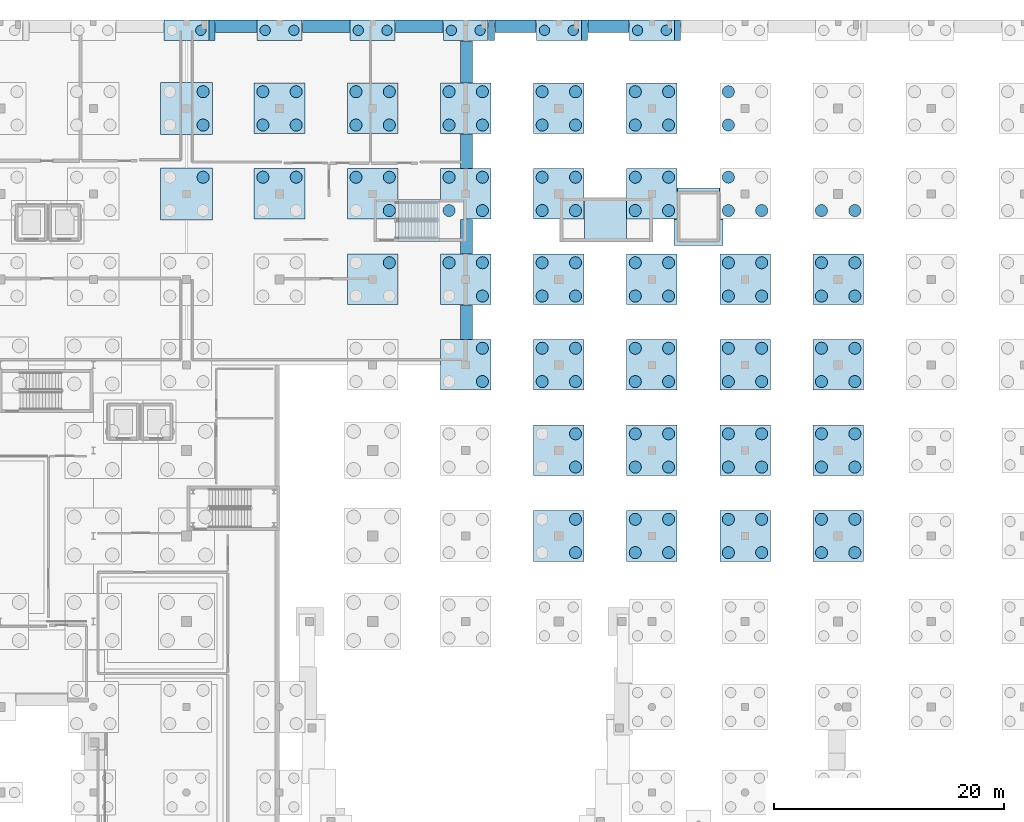
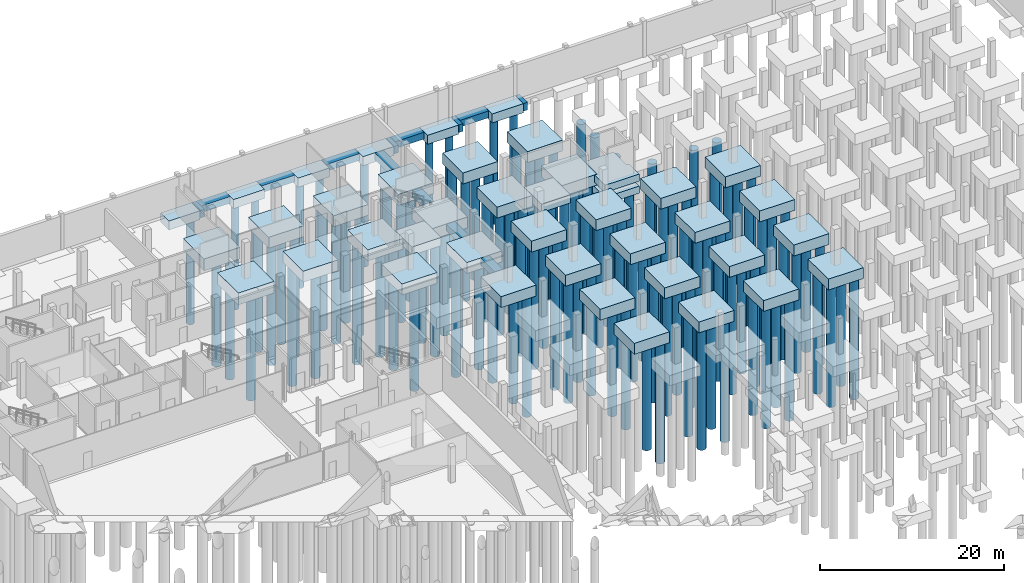
# One storey, part 7 of 37: 124 piles, 54 footings.
"""IFC4 building model written with IfcOpenShell, lengths in metres."""

from ifc_helpers import new_model, si_unit, direction, frame, origin, origin_2d, place, context, subcontext, project, spatial, polyline, rectangle, circle, outline, extrude, material, material_profile, profile_set, type_object, element, save


model = new_model("IFC4")

# Units and contexts
model_context = context("Model", 3, precision=1e-05, world=origin(), true_north=direction((0.0, 1.0)))
body_context = subcontext(model_context, "Body", "Model", "MODEL_VIEW")
ifc_project = project(units=[si_unit("LENGTHUNIT", "METRE"), si_unit("AREAUNIT", "SQUARE_METRE"), si_unit("VOLUMEUNIT", "CUBIC_METRE"), si_unit("PLANEANGLEUNIT", "RADIAN"), si_unit("MASSUNIT", "GRAM", prefix="KILO")], contexts=[model_context])

# Site, building, storey
site_placement = place(None, origin())
site = spatial("IfcSite", under=ifc_project, at=site_placement, CompositionType="ELEMENT")
building_placement = place(site_placement, origin())
building = spatial("IfcBuilding", under=site, at=building_placement, Name="Kaelora Sail Theatre", CompositionType="ELEMENT")
storey_placement = place(building_placement, frame((0.0, 0.0, -4.800048828125)))
storey = spatial("IfcBuildingStorey", under=building, at=storey_placement, Name="B1", CompositionType="ELEMENT", Elevation=-4.800048828125)

# Footings
ifc_material_1 = material(Name="Concrete C40/50", Category="concrete")
footing_type_1 = type_object("IfcFootingType", Name="STR-FTG-PC-2P", PredefinedType="PILE_CAP", material=ifc_material_1)
for number, where, z_axis, x_axis, name in (
    (1, (66.300048828125, 112.449951171875, -1.19970703125), (0.0, 0.0, 1.0), (1.0, 0.0, 0.0), "Foundation 9/P"),
    (2, (74.39990234375, 112.449951171875, -1.19970703125), (0.0, 0.0, 1.0), (1.0, 0.0, 0.0), "Foundation 10/P"),
    (3, (82.5, 112.449951171875, -1.19970703125), (0.0, 0.0, 1.0), (1.0, 0.0, 0.0), "Foundation 11/P"),
    (4, (90.60009765625, 112.449951171875, -1.19970703125), (0.0, 0.0, 1.0), (1.0, 0.0, 0.0), "Foundation 12/P"),
    (5, (98.699951171875, 112.449951171875, -1.19970703125), (0.0, 0.0, 1.0), (1.0, 0.0, 0.0), "Foundation 13/P"),
    (6, (106.800048828125, 112.449951171875, -1.19970703125), (0.0, 0.0, 1.0), (1.0, 0.0, 0.0), "Foundation 14/P"),
):
    element("IfcFooting", number, at=place(storey_placement, frame(where, z_axis=z_axis, x_axis=x_axis)), inside=storey, type_object=footing_type_1, Name=name, PredefinedType="PILE_CAP", context=body_context, shape_type="SweptSolid", body=[
        extrude(rectangle(XDim=3.89990234375, YDim=1.800048828125, at=origin_2d()), origin(), (0.0, 0.0, 1.0), 1.199951171875),
    ])
ifc_material_2 = material(Name="Concrete C40/50", Category="concrete")
footing_type_2 = type_object("IfcFootingType", Name="STR-FTG-PC-4B", PredefinedType="PILE_CAP", material=ifc_material_2)
for number, where, z_axis, x_axis, name in (
    (7, (74.39990234375, 98.219970703125, -1.44970703125), (0.0, 0.0, 1.0), (1.0, 0.0, 0.0), "Foundation 10/N"),
    (8, (74.39990234375, 105.659912109375, -1.44970703125), (0.0, 0.0, 1.0), (1.0, 0.0, 0.0), "Foundation 10/O"),
    (9, (82.5, 90.780029296875, -1.44970703125), (0.0, 0.0, 1.0), (1.0, 0.0, 0.0), "Foundation 11/M"),
    (10, (82.5, 98.219970703125, -1.44970703125), (0.0, 0.0, 1.0), (1.0, 0.0, 0.0), "Foundation 11/N"),
    (11, (82.5, 105.659912109375, -1.44970703125), (0.0, 0.0, 1.0), (1.0, 0.0, 0.0), "Foundation 11/O"),
    (12, (90.60009765625, 83.340087890625, -1.44970703125), (0.0, 0.0, 1.0), (1.0, 0.0, 0.0), "Foundation 12/L"),
    (13, (90.60009765625, 90.780029296875, -1.44970703125), (0.0, 0.0, 1.0), (1.0, 0.0, 0.0), "Foundation 12/M"),
    (14, (90.60009765625, 98.219970703125, -1.44970703125), (0.0, 0.0, 1.0), (1.0, 0.0, 0.0), "Foundation 12/N"),
    (15, (90.60009765625, 105.659912109375, -1.44970703125), (0.0, 0.0, 1.0), (1.0, 0.0, 0.0), "Foundation 12/O"),
    (16, (98.699951171875, 68.4599609375, -1.44970703125), (0.0, 0.0, 1.0), (1.0, 0.0, 0.0), "Foundation 13/J"),
    (17, (98.699951171875, 75.89990234375, -1.44970703125), (0.0, 0.0, 1.0), (1.0, 0.0, 0.0), "Foundation 13/K"),
    (18, (98.699951171875, 83.340087890625, -1.44970703125), (0.0, 0.0, 1.0), (1.0, 0.0, 0.0), "Foundation 13/L"),
    (19, (98.699951171875, 90.780029296875, -1.44970703125), (0.0, 0.0, 1.0), (1.0, 0.0, 0.0), "Foundation 13/M"),
    (20, (98.699951171875, 98.219970703125, -1.44970703125), (0.0, 0.0, 1.0), (1.0, 0.0, 0.0), "Foundation 13/N"),
    (21, (98.699951171875, 105.659912109375, -1.44970703125), (0.0, 0.0, 1.0), (1.0, 0.0, 0.0), "Foundation 13/O"),
    (22, (106.800048828125, 68.4599609375, -1.44970703125), (0.0, 0.0, 1.0), (1.0, 0.0, 0.0), "Foundation 14/J"),
    (23, (106.800048828125, 75.89990234375, -1.44970703125), (0.0, 0.0, 1.0), (1.0, 0.0, 0.0), "Foundation 14/K"),
    (24, (106.800048828125, 83.340087890625, -1.44970703125), (0.0, 0.0, 1.0), (1.0, 0.0, 0.0), "Foundation 14/L"),
    (25, (106.800048828125, 90.780029296875, -1.44970703125), (0.0, 0.0, 1.0), (1.0, 0.0, 0.0), "Foundation 14/M"),
    (26, (106.800048828125, 98.219970703125, -1.44970703125), (0.0, 0.0, 1.0), (1.0, 0.0, 0.0), "Foundation 14/N"),
    (27, (106.800048828125, 105.659912109375, -1.44970703125), (0.0, 0.0, 1.0), (1.0, 0.0, 0.0), "Foundation 14/O"),
    (28, (114.89990234375, 68.4599609375, -1.44970703125), (0.0, 0.0, 1.0), (1.0, 0.0, 0.0), "Foundation 15/J"),
    (29, (114.89990234375, 75.89990234375, -1.44970703125), (0.0, 0.0, 1.0), (1.0, 0.0, 0.0), "Foundation 15/K"),
    (30, (114.89990234375, 83.340087890625, -1.44970703125), (0.0, 0.0, 1.0), (1.0, 0.0, 0.0), "Foundation 15/L"),
    (31, (114.89990234375, 90.780029296875, -1.44970703125), (0.0, 0.0, 1.0), (1.0, 0.0, 0.0), "Foundation 15/M"),
    (32, (123.0, 68.4599609375, -1.44970703125), (0.0, 0.0, 1.0), (1.0, 0.0, 0.0), "Foundation 16/J"),
    (33, (123.0, 75.89990234375, -1.44970703125), (0.0, 0.0, 1.0), (1.0, 0.0, 0.0), "Foundation 16/K"),
    (34, (123.0, 83.340087890625, -1.44970703125), (0.0, 0.0, 1.0), (1.0, 0.0, 0.0), "Foundation 16/L"),
    (35, (123.0, 90.780029296875, -1.44970703125), (0.0, 0.0, 1.0), (1.0, 0.0, 0.0), "Foundation 16/M"),
):
    element("IfcFooting", number, at=place(storey_placement, frame(where, z_axis=z_axis, x_axis=x_axis)), inside=storey, type_object=footing_type_2, Name=name, PredefinedType="PILE_CAP", context=body_context, shape_type="SweptSolid", body=[
        extrude(rectangle(XDim=4.39990234375, YDim=4.39990234375, at=origin_2d()), origin(), (0.0, 0.0, 1.0), 1.449951171875),
    ])
ifc_material_3 = material(Name="Concrete C40/50", Category="concrete")
footing_type_3 = type_object("IfcFootingType", Name="STR-FTG-PC-4C", PredefinedType="PILE_CAP", material=ifc_material_3)
for number, where, z_axis, x_axis, name in (
    (36, (66.300048828125, 98.219970703125, -1.5498046875), (0.0, 0.0, 1.0), (1.0, 0.0, 0.0), "Foundation 9/N"),
    (37, (66.300048828125, 105.659912109375, -1.5498046875), (0.0, 0.0, 1.0), (1.0, 0.0, 0.0), "Foundation 9/O"),
):
    element("IfcFooting", number, at=place(storey_placement, frame(where, z_axis=z_axis, x_axis=x_axis)), inside=storey, type_object=footing_type_3, Name=name, PredefinedType="PILE_CAP", context=body_context, shape_type="SweptSolid", body=[
        extrude(rectangle(XDim=4.5, YDim=4.5, at=origin_2d()), origin(), (0.0, 0.0, 1.0), 1.550048828125),
    ])
ifc_material_4 = material(Name="Concrete C40/50", Category="concrete")
footing_type_4 = type_object("IfcFootingType", Name="STR-FTG-PF-1C", PredefinedType="PAD_FOOTING", material=ifc_material_4)
footing_1_placement = place(storey_placement, frame((0.0, 0.0, -1.0)))
element("IfcFooting", 38, at=footing_1_placement, inside=storey, type_object=footing_type_4, Name="North Postmodern pilaster footing P05", PredefinedType="PAD_FOOTING", context=body_context, shape_type="SweptSolid", body=[
    extrude(outline(polyline([(68.280029296875, 111.550048828125), (68.280029296875, 113.340087890625), (68.800048828125, 113.340087890625), (68.800048828125, 111.550048828125), (68.280029296875, 111.550048828125)])), origin(), (0.0, 0.0, 1.0), 1.0),
])
footing_2_placement = place(storey_placement, frame((0.0, 0.0, -1.0)))
element("IfcFooting", 39, at=footing_2_placement, inside=storey, type_object=footing_type_4, Name="North Postmodern pilaster footing P06", PredefinedType="PAD_FOOTING", context=body_context, shape_type="SweptSolid", body=[
    extrude(outline(polyline([(92.580078125, 113.340087890625), (93.10009765625, 113.340087890625), (93.10009765625, 111.550048828125), (92.580078125, 111.550048828125), (92.580078125, 113.340087890625)])), origin(), (0.0, 0.0, 1.0), 1.0),
])
footing_3_placement = place(storey_placement, frame((0.0, 0.0, -1.0)))
element("IfcFooting", 40, at=footing_3_placement, inside=storey, type_object=footing_type_4, Name="North Postmodern pilaster footing P07", PredefinedType="PAD_FOOTING", context=body_context, shape_type="SweptSolid", body=[
    extrude(outline(polyline([(101.199951171875, 113.340087890625), (101.199951171875, 111.550048828125), (100.679931640625, 111.550048828125), (100.679931640625, 113.340087890625), (101.199951171875, 113.340087890625)])), origin(), (0.0, 0.0, 1.0), 1.0),
])
footing_4_placement = place(storey_placement, frame((0.0, 0.0, -1.0)))
element("IfcFooting", 41, at=footing_4_placement, inside=storey, type_object=footing_type_4, Name="North Postmodern pilaster footing P08", PredefinedType="PAD_FOOTING", context=body_context, shape_type="SweptSolid", body=[
    extrude(outline(polyline([(109.300048828125, 111.550048828125), (108.780029296875, 111.550048828125), (108.780029296875, 113.340087890625), (109.300048828125, 113.340087890625), (109.300048828125, 111.550048828125)])), origin(), (0.0, 0.0, 1.0), 1.0),
])
ifc_material_5 = material(Name="Concrete C40/50", Category="concrete")
footing_type_5 = type_object("IfcFootingType", Name="STR-FTG-PF-1F", PredefinedType="PAD_FOOTING", material=ifc_material_5)
footing_5_placement = place(storey_placement, frame((0.0, 0.0, -0.949951171875)))
element("IfcFooting", 42, at=footing_5_placement, inside=storey, type_object=footing_type_5, Name="Lift shaft base foundation GL-01", PredefinedType="PAD_FOOTING", context=body_context, shape_type="SweptSolid", body=[
    extrude(outline(polyline([(108.699951171875, 95.989990234375), (109.030029296875, 95.989990234375), (109.030029296875, 98.75), (112.669921875, 98.75), (112.669921875, 95.989990234375), (113.0, 95.989990234375), (113.0, 93.75), (108.699951171875, 93.75), (108.699951171875, 95.989990234375)])), origin(), (0.0, 0.0, 1.0), 0.949951171875),
])
ifc_material_6 = material(Name="Concrete C40/50", Category="concrete")
footing_type_6 = type_object("IfcFootingType", Name="STR-FTG-PF-CORE", PredefinedType="PAD_FOOTING", material=ifc_material_6)
footing_6_placement = place(storey_placement, frame((0.0, 0.0, -1.099853515625)))
element("IfcFooting", 43, at=footing_6_placement, inside=storey, type_object=footing_type_6, Name="Stair core foundation pad ST-K4", PredefinedType="PAD_FOOTING", context=body_context, shape_type="SweptSolid", body=[
    extrude(outline(polyline([(100.929931640625, 94.10009765625), (104.570068359375, 94.10009765625), (104.570068359375, 97.85009765625), (100.929931640625, 97.85009765625), (100.929931640625, 94.10009765625)])), origin(), (0.0, 0.0, 1.0), 1.099853515625),
])
ifc_material_7 = material(Name="Concrete C40/50", Category="concrete")
footing_type_7 = type_object("IfcFootingType", Name="STR-FTG-PF-CORE2", PredefinedType="PAD_FOOTING", material=ifc_material_7)
footing_7_placement = place(storey_placement, frame((0.0, 0.0, -1.099853515625)))
element("IfcFooting", 44, at=footing_7_placement, inside=storey, type_object=footing_type_7, Name="Stair core foundation pad ST-K3", PredefinedType="PAD_FOOTING", context=body_context, shape_type="SweptSolid", body=[
    extrude(outline(polyline([(84.72998046875, 94.10009765625), (88.3701171875, 94.10009765625), (88.3701171875, 97.75), (84.72998046875, 97.75), (84.72998046875, 94.10009765625)])), origin(), (0.0, 0.0, 1.0), 1.099853515625),
])
ifc_material_8 = material(Name="Concrete C40/50", Category="concrete")
footing_type_8 = type_object("IfcFootingType", Name="STR-FTG-PF-PIT3", PredefinedType="PAD_FOOTING", material=ifc_material_8)
footing_8_placement = place(storey_placement, frame((0.0, 0.0, -2.550048828125)))
element("IfcFooting", 45, at=footing_8_placement, inside=storey, type_object=footing_type_8, Name="Lift pit foundation pad GL-01", PredefinedType="PAD_FOOTING", context=body_context, shape_type="SweptSolid", body=[
    extrude(outline(polyline([(108.699951171875, 98.75), (113.0, 98.75), (113.0, 93.75), (108.699951171875, 93.75), (108.699951171875, 98.75)])), origin(), (0.0, 0.0, 1.0), 0.9501953125),
])
ifc_material_9 = material(Name="Concrete C40/50", Category="concrete")
footing_type_9 = type_object("IfcFootingType", Name="STR-GB-SF-DRM", PredefinedType="STRIP_FOOTING", material=ifc_material_9)
footing_9_placement = place(storey_placement, frame((0.0, 0.0, -0.89990234375)))
element("IfcFooting", 46, at=footing_9_placement, inside=storey, type_object=footing_type_9, Name="Perimeter plinth strip footing SF-PL-N", PredefinedType="STRIP_FOOTING", context=body_context, shape_type="SweptSolid", body=[
    extrude(outline(polyline([(101.22998046875, 112.25), (101.22998046875, 113.340087890625), (104.820068359375, 113.340087890625), (104.820068359375, 112.25), (101.22998046875, 112.25)])), origin(), (0.0, 0.0, 1.0), 0.89990234375),
])
footing_10_placement = place(storey_placement, frame((0.0, 0.0, -0.89990234375)))
element("IfcFooting", 47, at=footing_10_placement, inside=storey, type_object=footing_type_9, Name="Perimeter plinth strip footing SF-PL-N", PredefinedType="STRIP_FOOTING", context=body_context, shape_type="SweptSolid", body=[
    extrude(outline(polyline([(93.1298828125, 112.25), (93.1298828125, 113.340087890625), (96.719970703125, 113.340087890625), (96.719970703125, 112.25), (93.1298828125, 112.25)])), origin(), (0.0, 0.0, 1.0), 0.89990234375),
])
footing_11_placement = place(storey_placement, frame((0.0, 0.0, -0.89990234375)))
element("IfcFooting", 48, at=footing_11_placement, inside=storey, type_object=footing_type_9, Name="Perimeter plinth strip footing SF-PL-N", PredefinedType="STRIP_FOOTING", context=body_context, shape_type="SweptSolid", body=[
    extrude(outline(polyline([(84.47998046875, 112.25), (84.47998046875, 113.340087890625), (88.6201171875, 113.340087890625), (88.6201171875, 112.25), (84.47998046875, 112.25)])), origin(), (0.0, 0.0, 1.0), 0.89990234375),
])
footing_12_placement = place(storey_placement, frame((0.0, 0.0, -0.89990234375)))
element("IfcFooting", 49, at=footing_12_placement, inside=storey, type_object=footing_type_9, Name="Perimeter plinth strip footing SF-PL-N", PredefinedType="STRIP_FOOTING", context=body_context, shape_type="SweptSolid", body=[
    extrude(outline(polyline([(76.3798828125, 112.25), (76.3798828125, 113.340087890625), (80.52001953125, 113.340087890625), (80.52001953125, 112.25), (76.3798828125, 112.25)])), origin(), (0.0, 0.0, 1.0), 0.89990234375),
])
footing_13_placement = place(storey_placement, frame((0.0, 0.0, -0.89990234375)))
element("IfcFooting", 50, at=footing_13_placement, inside=storey, type_object=footing_type_9, Name="Perimeter plinth strip footing SF-PL-N", PredefinedType="STRIP_FOOTING", context=body_context, shape_type="SweptSolid", body=[
    extrude(outline(polyline([(68.830078125, 112.25), (68.830078125, 113.340087890625), (72.419921875, 113.340087890625), (72.419921875, 112.25), (68.830078125, 112.25)])), origin(), (0.0, 0.0, 1.0), 0.89990234375),
])
footing_14_placement = place(storey_placement, frame((0.0, 0.0, -0.89990234375)))
element("IfcFooting", 51, at=footing_14_placement, inside=storey, type_object=footing_type_9, Name="Perimeter plinth strip footing SF-NW3-E", PredefinedType="STRIP_FOOTING", context=body_context, shape_type="SweptSolid", body=[
    extrude(outline(polyline([(90.14990234375, 88.550048828125), (91.199951171875, 88.550048828125), (91.199951171875, 85.570068359375), (90.14990234375, 85.570068359375), (90.14990234375, 88.550048828125)])), origin(), (0.0, 0.0, 1.0), 0.89990234375),
])
footing_15_placement = place(storey_placement, frame((0.0, 0.0, -0.89990234375)))
element("IfcFooting", 52, at=footing_15_placement, inside=storey, type_object=footing_type_9, Name="Perimeter plinth strip footing SF-NW3-E", PredefinedType="STRIP_FOOTING", context=body_context, shape_type="SweptSolid", body=[
    extrude(outline(polyline([(91.199951171875, 111.52001953125), (91.199951171875, 107.889892578125), (90.14990234375, 107.889892578125), (90.14990234375, 111.52001953125), (91.199951171875, 111.52001953125)])), origin(), (0.0, 0.0, 1.0), 0.89990234375),
])
footing_16_placement = place(storey_placement, frame((0.0, 0.0, -0.89990234375)))
element("IfcFooting", 53, at=footing_16_placement, inside=storey, type_object=footing_type_9, Name="Perimeter plinth strip footing SF-NW3-E", PredefinedType="STRIP_FOOTING", context=body_context, shape_type="SweptSolid", body=[
    extrude(outline(polyline([(91.199951171875, 103.429931640625), (91.199951171875, 100.449951171875), (90.14990234375, 100.449951171875), (90.14990234375, 103.429931640625), (91.199951171875, 103.429931640625)])), origin(), (0.0, 0.0, 1.0), 0.89990234375),
])
footing_17_placement = place(storey_placement, frame((0.0, 0.0, -0.89990234375)))
element("IfcFooting", 54, at=footing_17_placement, inside=storey, type_object=footing_type_9, Name="Perimeter plinth strip footing SF-NW3-E", PredefinedType="STRIP_FOOTING", context=body_context, shape_type="SweptSolid", body=[
    extrude(outline(polyline([(91.199951171875, 93.010009765625), (90.14990234375, 93.010009765625), (90.14990234375, 95.989990234375), (91.199951171875, 95.989990234375), (91.199951171875, 93.010009765625)])), origin(), (0.0, 0.0, 1.0), 0.89990234375),
])

# Piles
ifc_material_10 = material(Name="Concrete C40/50", Category="concrete")
ifc_material_profile_1 = material_profile(ifc_material_10, circle(Radius=0.52490234375, at=origin_2d()), Name="PILE D1050")
ifc_profile_set_1 = profile_set([ifc_material_profile_1], Name="Concrete C40/50")
pile_type_1 = type_object("IfcPileType", Name="STR-PILE-PL-1050", PredefinedType="BORED", material=ifc_profile_set_1)
for number, where, z_axis, x_axis, name in (
    (55, (67.75, 99.669921875, -1.449951171875), (0.0, 0.0, -1.0), (1.0, 0.0, 0.0), "Bored pile 9/N P4"),
    (56, (67.75, 104.2099609375, -1.449951171875), (0.0, 0.0, -1.0), (1.0, 0.0, 0.0), "Bored pile 9/O P2"),
    (57, (67.75, 107.110107421875, -1.449951171875), (0.0, 0.0, -1.0), (1.0, 0.0, 0.0), "Bored pile 9/O P4"),
    (58, (72.949951171875, 99.669921875, -1.349853515625), (0.0, 0.0, -1.0), (1.0, 0.0, 0.0), "Bored pile 10/N P3"),
    (59, (75.85009765625, 99.669921875, -1.349853515625), (0.0, 0.0, -1.0), (1.0, 0.0, 0.0), "Bored pile 10/N P4"),
    (60, (72.949951171875, 104.2099609375, -1.349853515625), (0.0, 0.0, -1.0), (1.0, 0.0, 0.0), "Bored pile 10/O P1"),
    (61, (75.85009765625, 104.2099609375, -1.349853515625), (0.0, 0.0, -1.0), (1.0, 0.0, 0.0), "Bored pile 10/O P2"),
    (62, (72.949951171875, 107.110107421875, -1.349853515625), (0.0, 0.0, -1.0), (1.0, 0.0, 0.0), "Bored pile 10/O P3"),
    (63, (75.85009765625, 107.110107421875, -1.349853515625), (0.0, 0.0, -1.0), (1.0, 0.0, 0.0), "Bored pile 10/O P4"),
    (64, (83.949951171875, 92.22998046875, -1.349853515625), (0.0, 0.0, -1.0), (1.0, 0.0, 0.0), "Bored pile 11/M P4"),
    (65, (83.949951171875, 96.77001953125, -1.349853515625), (0.0, 0.0, -1.0), (1.0, 0.0, 0.0), "Bored pile 11/N P2"),
    (66, (81.050048828125, 99.669921875, -1.349853515625), (0.0, 0.0, -1.0), (1.0, 0.0, 0.0), "Bored pile 11/N P3"),
    (67, (83.949951171875, 99.669921875, -1.349853515625), (0.0, 0.0, -1.0), (1.0, 0.0, 0.0), "Bored pile 11/N P4"),
    (68, (81.050048828125, 104.2099609375, -1.349853515625), (0.0, 0.0, -1.0), (1.0, 0.0, 0.0), "Bored pile 11/O P1"),
    (69, (83.949951171875, 104.2099609375, -1.349853515625), (0.0, 0.0, -1.0), (1.0, 0.0, 0.0), "Bored pile 11/O P2"),
    (70, (81.050048828125, 107.110107421875, -1.349853515625), (0.0, 0.0, -1.0), (1.0, 0.0, 0.0), "Bored pile 11/O P3"),
    (71, (83.949951171875, 107.110107421875, -1.349853515625), (0.0, 0.0, -1.0), (1.0, 0.0, 0.0), "Bored pile 11/O P4"),
    (72, (92.050048828125, 81.889892578125, -1.349853515625), (0.0, 0.0, -1.0), (1.0, 0.0, 0.0), "Bored pile 12/L P2"),
    (73, (92.050048828125, 84.7900390625, -1.349853515625), (0.0, 0.0, -1.0), (1.0, 0.0, 0.0), "Bored pile 12/L P4"),
    (74, (92.050048828125, 89.330078125, -1.349853515625), (0.0, 0.0, -1.0), (1.0, 0.0, 0.0), "Bored pile 12/M P2"),
    (75, (89.14990234375, 92.22998046875, -1.349853515625), (0.0, 0.0, -1.0), (1.0, 0.0, 0.0), "Bored pile 12/M P3"),
    (76, (92.050048828125, 92.22998046875, -1.349853515625), (0.0, 0.0, -1.0), (1.0, 0.0, 0.0), "Bored pile 12/M P4"),
    (77, (89.14990234375, 96.77001953125, -1.349853515625), (0.0, 0.0, -1.0), (1.0, 0.0, 0.0), "Bored pile 12/N P1"),
    (78, (92.050048828125, 96.77001953125, -1.349853515625), (0.0, 0.0, -1.0), (1.0, 0.0, 0.0), "Bored pile 12/N P2"),
    (79, (89.14990234375, 99.669921875, -1.349853515625), (0.0, 0.0, -1.0), (1.0, 0.0, 0.0), "Bored pile 12/N P3"),
    (80, (92.050048828125, 99.669921875, -1.349853515625), (0.0, 0.0, -1.0), (1.0, 0.0, 0.0), "Bored pile 12/N P4"),
    (81, (89.14990234375, 104.2099609375, -1.349853515625), (0.0, 0.0, -1.0), (1.0, 0.0, 0.0), "Bored pile 12/O P1"),
    (82, (92.050048828125, 104.2099609375, -1.349853515625), (0.0, 0.0, -1.0), (1.0, 0.0, 0.0), "Bored pile 12/O P2"),
    (83, (89.14990234375, 107.110107421875, -1.349853515625), (0.0, 0.0, -1.0), (1.0, 0.0, 0.0), "Bored pile 12/O P3"),
    (84, (92.050048828125, 107.110107421875, -1.349853515625), (0.0, 0.0, -1.0), (1.0, 0.0, 0.0), "Bored pile 12/O P4"),
    (85, (100.14990234375, 67.010009765625, -1.349853515625), (0.0, 0.0, -1.0), (1.0, 0.0, 0.0), "Bored pile 13/J P2"),
    (86, (100.14990234375, 69.909912109375, -1.349853515625), (0.0, 0.0, -1.0), (1.0, 0.0, 0.0), "Bored pile 13/J P4"),
    (87, (100.14990234375, 74.449951171875, -1.349853515625), (0.0, 0.0, -1.0), (1.0, 0.0, 0.0), "Bored pile 13/K P2"),
    (88, (100.14990234375, 77.35009765625, -1.349853515625), (0.0, 0.0, -1.0), (1.0, 0.0, 0.0), "Bored pile 13/K P4"),
    (89, (97.25, 81.889892578125, -1.349853515625), (0.0, 0.0, -1.0), (1.0, 0.0, 0.0), "Bored pile 13/L P1"),
    (90, (100.14990234375, 81.889892578125, -1.349853515625), (0.0, 0.0, -1.0), (1.0, 0.0, 0.0), "Bored pile 13/L P2"),
    (91, (97.25, 84.7900390625, -1.349853515625), (0.0, 0.0, -1.0), (1.0, 0.0, 0.0), "Bored pile 13/L P3"),
    (92, (100.14990234375, 84.7900390625, -1.349853515625), (0.0, 0.0, -1.0), (1.0, 0.0, 0.0), "Bored pile 13/L P4"),
    (93, (97.25, 89.330078125, -1.349853515625), (0.0, 0.0, -1.0), (1.0, 0.0, 0.0), "Bored pile 13/M P1"),
    (94, (100.14990234375, 89.330078125, -1.349853515625), (0.0, 0.0, -1.0), (1.0, 0.0, 0.0), "Bored pile 13/M P2"),
    (95, (97.25, 92.22998046875, -1.349853515625), (0.0, 0.0, -1.0), (1.0, 0.0, 0.0), "Bored pile 13/M P3"),
    (96, (100.14990234375, 92.22998046875, -1.349853515625), (0.0, 0.0, -1.0), (1.0, 0.0, 0.0), "Bored pile 13/M P4"),
    (97, (97.25, 96.77001953125, -1.349853515625), (0.0, 0.0, -1.0), (1.0, 0.0, 0.0), "Bored pile 13/N P1"),
    (98, (100.14990234375, 96.77001953125, -1.349853515625), (0.0, 0.0, -1.0), (1.0, 0.0, 0.0), "Bored pile 13/N P2"),
    (99, (97.25, 99.669921875, -1.349853515625), (0.0, 0.0, -1.0), (1.0, 0.0, 0.0), "Bored pile 13/N P3"),
    (100, (100.14990234375, 99.669921875, -1.349853515625), (0.0, 0.0, -1.0), (1.0, 0.0, 0.0), "Bored pile 13/N P4"),
    (101, (97.25, 104.2099609375, -1.349853515625), (0.0, 0.0, -1.0), (1.0, 0.0, 0.0), "Bored pile 13/O P1"),
    (102, (100.14990234375, 104.2099609375, -1.349853515625), (0.0, 0.0, -1.0), (1.0, 0.0, 0.0), "Bored pile 13/O P2"),
    (103, (97.25, 107.110107421875, -1.349853515625), (0.0, 0.0, -1.0), (1.0, 0.0, 0.0), "Bored pile 13/O P3"),
    (104, (100.14990234375, 107.110107421875, -1.349853515625), (0.0, 0.0, -1.0), (1.0, 0.0, 0.0), "Bored pile 13/O P4"),
    (105, (105.35009765625, 67.010009765625, -1.349853515625), (0.0, 0.0, -1.0), (1.0, 0.0, 0.0), "Bored pile 14/J P1"),
    (106, (108.25, 67.010009765625, -1.349853515625), (0.0, 0.0, -1.0), (1.0, 0.0, 0.0), "Bored pile 14/J P2"),
    (107, (105.35009765625, 69.909912109375, -1.349853515625), (0.0, 0.0, -1.0), (1.0, 0.0, 0.0), "Bored pile 14/J P3"),
    (108, (108.25, 69.909912109375, -1.349853515625), (0.0, 0.0, -1.0), (1.0, 0.0, 0.0), "Bored pile 14/J P4"),
    (109, (105.35009765625, 74.449951171875, -1.349853515625), (0.0, 0.0, -1.0), (1.0, 0.0, 0.0), "Bored pile 14/K P1"),
    (110, (108.25, 74.449951171875, -1.349853515625), (0.0, 0.0, -1.0), (1.0, 0.0, 0.0), "Bored pile 14/K P2"),
    (111, (105.35009765625, 77.35009765625, -1.349853515625), (0.0, 0.0, -1.0), (1.0, 0.0, 0.0), "Bored pile 14/K P3"),
    (112, (108.25, 77.35009765625, -1.349853515625), (0.0, 0.0, -1.0), (1.0, 0.0, 0.0), "Bored pile 14/K P4"),
    (113, (105.35009765625, 81.889892578125, -1.349853515625), (0.0, 0.0, -1.0), (1.0, 0.0, 0.0), "Bored pile 14/L P1"),
    (114, (108.25, 81.889892578125, -1.349853515625), (0.0, 0.0, -1.0), (1.0, 0.0, 0.0), "Bored pile 14/L P2"),
    (115, (105.35009765625, 84.7900390625, -1.349853515625), (0.0, 0.0, -1.0), (1.0, 0.0, 0.0), "Bored pile 14/L P3"),
    (116, (108.25, 84.7900390625, -1.349853515625), (0.0, 0.0, -1.0), (1.0, 0.0, 0.0), "Bored pile 14/L P4"),
    (117, (105.35009765625, 89.330078125, -1.349853515625), (0.0, 0.0, -1.0), (1.0, 0.0, 0.0), "Bored pile 14/M P1"),
    (118, (108.25, 89.330078125, -1.349853515625), (0.0, 0.0, -1.0), (1.0, 0.0, 0.0), "Bored pile 14/M P2"),
    (119, (105.35009765625, 92.22998046875, -1.349853515625), (0.0, 0.0, -1.0), (1.0, 0.0, 0.0), "Bored pile 14/M P3"),
    (120, (108.25, 92.22998046875, -1.349853515625), (0.0, 0.0, -1.0), (1.0, 0.0, 0.0), "Bored pile 14/M P4"),
    (121, (105.35009765625, 96.77001953125, -1.349853515625), (0.0, 0.0, -1.0), (1.0, 0.0, 0.0), "Bored pile 14/N P1"),
    (122, (108.25, 96.77001953125, -1.349853515625), (0.0, 0.0, -1.0), (1.0, 0.0, 0.0), "Bored pile 14/N P2"),
    (123, (105.35009765625, 99.669921875, -1.349853515625), (0.0, 0.0, -1.0), (1.0, 0.0, 0.0), "Bored pile 14/N P3"),
    (124, (108.25, 99.669921875, -1.349853515625), (0.0, 0.0, -1.0), (1.0, 0.0, 0.0), "Bored pile 14/N P4"),
    (125, (105.35009765625, 104.2099609375, -1.349853515625), (0.0, 0.0, -1.0), (1.0, 0.0, 0.0), "Bored pile 14/O P1"),
    (126, (108.25, 104.2099609375, -1.349853515625), (0.0, 0.0, -1.0), (1.0, 0.0, 0.0), "Bored pile 14/O P2"),
    (127, (105.35009765625, 107.110107421875, -1.349853515625), (0.0, 0.0, -1.0), (1.0, 0.0, 0.0), "Bored pile 14/O P3"),
    (128, (108.25, 107.110107421875, -1.349853515625), (0.0, 0.0, -1.0), (1.0, 0.0, 0.0), "Bored pile 14/O P4"),
    (129, (113.449951171875, 67.010009765625, -1.349853515625), (0.0, 0.0, -1.0), (1.0, 0.0, 0.0), "Bored pile 15/J P1"),
    (130, (116.35009765625, 67.010009765625, -1.349853515625), (0.0, 0.0, -1.0), (1.0, 0.0, 0.0), "Bored pile 15/J P2"),
    (131, (113.449951171875, 69.909912109375, -1.349853515625), (0.0, 0.0, -1.0), (1.0, 0.0, 0.0), "Bored pile 15/J P3"),
    (132, (116.35009765625, 69.909912109375, -1.349853515625), (0.0, 0.0, -1.0), (1.0, 0.0, 0.0), "Bored pile 15/J P4"),
    (133, (113.449951171875, 74.449951171875, -1.349853515625), (0.0, 0.0, -1.0), (1.0, 0.0, 0.0), "Bored pile 15/K P1"),
    (134, (116.35009765625, 74.449951171875, -1.349853515625), (0.0, 0.0, -1.0), (1.0, 0.0, 0.0), "Bored pile 15/K P2"),
    (135, (113.449951171875, 77.35009765625, -1.349853515625), (0.0, 0.0, -1.0), (1.0, 0.0, 0.0), "Bored pile 15/K P3"),
    (136, (116.35009765625, 77.35009765625, -1.349853515625), (0.0, 0.0, -1.0), (1.0, 0.0, 0.0), "Bored pile 15/K P4"),
    (137, (113.449951171875, 81.889892578125, -1.349853515625), (0.0, 0.0, -1.0), (1.0, 0.0, 0.0), "Bored pile 15/L P1"),
    (138, (116.35009765625, 81.889892578125, -1.349853515625), (0.0, 0.0, -1.0), (1.0, 0.0, 0.0), "Bored pile 15/L P2"),
    (139, (113.449951171875, 84.7900390625, -1.349853515625), (0.0, 0.0, -1.0), (1.0, 0.0, 0.0), "Bored pile 15/L P3"),
    (140, (116.35009765625, 84.7900390625, -1.349853515625), (0.0, 0.0, -1.0), (1.0, 0.0, 0.0), "Bored pile 15/L P4"),
    (141, (113.449951171875, 89.330078125, -1.349853515625), (0.0, 0.0, -1.0), (1.0, 0.0, 0.0), "Bored pile 15/M P1"),
    (142, (116.35009765625, 89.330078125, -1.349853515625), (0.0, 0.0, -1.0), (1.0, 0.0, 0.0), "Bored pile 15/M P2"),
    (143, (113.449951171875, 92.22998046875, -1.349853515625), (0.0, 0.0, -1.0), (1.0, 0.0, 0.0), "Bored pile 15/M P3"),
    (144, (116.35009765625, 92.22998046875, -1.349853515625), (0.0, 0.0, -1.0), (1.0, 0.0, 0.0), "Bored pile 15/M P4"),
    (145, (113.449951171875, 96.77001953125, -1.349853515625), (0.0, 0.0, -1.0), (1.0, 0.0, 0.0), "Bored pile 15/N P1"),
    (146, (116.35009765625, 96.77001953125, -1.349853515625), (0.0, 0.0, -1.0), (1.0, 0.0, 0.0), "Bored pile 15/N P2"),
    (147, (113.449951171875, 99.669921875, -1.349853515625), (0.0, 0.0, -1.0), (1.0, 0.0, 0.0), "Bored pile 15/N P3"),
    (148, (113.449951171875, 104.2099609375, -1.349853515625), (0.0, 0.0, -1.0), (1.0, 0.0, 0.0), "Bored pile 15/O P1"),
    (149, (113.449951171875, 107.110107421875, -1.349853515625), (0.0, 0.0, -1.0), (1.0, 0.0, 0.0), "Bored pile 15/O P3"),
    (150, (121.550048828125, 67.010009765625, -1.349853515625), (0.0, 0.0, -1.0), (1.0, 0.0, 0.0), "Bored pile 16/J P1"),
    (151, (124.449951171875, 67.010009765625, -1.349853515625), (0.0, 0.0, -1.0), (1.0, 0.0, 0.0), "Bored pile 16/J P2"),
    (152, (121.550048828125, 69.909912109375, -1.349853515625), (0.0, 0.0, -1.0), (1.0, 0.0, 0.0), "Bored pile 16/J P3"),
    (153, (124.449951171875, 69.909912109375, -1.349853515625), (0.0, 0.0, -1.0), (1.0, 0.0, 0.0), "Bored pile 16/J P4"),
    (154, (121.550048828125, 74.449951171875, -1.349853515625), (0.0, 0.0, -1.0), (1.0, 0.0, 0.0), "Bored pile 16/K P1"),
    (155, (124.449951171875, 74.449951171875, -1.349853515625), (0.0, 0.0, -1.0), (1.0, 0.0, 0.0), "Bored pile 16/K P2"),
    (156, (121.550048828125, 77.35009765625, -1.349853515625), (0.0, 0.0, -1.0), (1.0, 0.0, 0.0), "Bored pile 16/K P3"),
    (157, (124.449951171875, 77.35009765625, -1.349853515625), (0.0, 0.0, -1.0), (1.0, 0.0, 0.0), "Bored pile 16/K P4"),
    (158, (121.550048828125, 81.889892578125, -1.349853515625), (0.0, 0.0, -1.0), (1.0, 0.0, 0.0), "Bored pile 16/L P1"),
    (159, (124.449951171875, 81.889892578125, -1.349853515625), (0.0, 0.0, -1.0), (1.0, 0.0, 0.0), "Bored pile 16/L P2"),
    (160, (121.550048828125, 84.7900390625, -1.349853515625), (0.0, 0.0, -1.0), (1.0, 0.0, 0.0), "Bored pile 16/L P3"),
    (161, (124.449951171875, 84.7900390625, -1.349853515625), (0.0, 0.0, -1.0), (1.0, 0.0, 0.0), "Bored pile 16/L P4"),
    (162, (121.550048828125, 89.330078125, -1.349853515625), (0.0, 0.0, -1.0), (1.0, 0.0, 0.0), "Bored pile 16/M P1"),
    (163, (124.449951171875, 89.330078125, -1.349853515625), (0.0, 0.0, -1.0), (1.0, 0.0, 0.0), "Bored pile 16/M P2"),
    (164, (121.550048828125, 92.22998046875, -1.349853515625), (0.0, 0.0, -1.0), (1.0, 0.0, 0.0), "Bored pile 16/M P3"),
    (165, (124.449951171875, 92.22998046875, -1.349853515625), (0.0, 0.0, -1.0), (1.0, 0.0, 0.0), "Bored pile 16/M P4"),
    (166, (121.550048828125, 96.77001953125, -1.349853515625), (0.0, 0.0, -1.0), (1.0, 0.0, 0.0), "Bored pile 16/N P1"),
    (167, (124.449951171875, 96.77001953125, -1.349853515625), (0.0, 0.0, -1.0), (1.0, 0.0, 0.0), "Bored pile 16/N P2"),
):
    element("IfcPile", number, at=place(storey_placement, frame(where, z_axis=z_axis, x_axis=x_axis)), inside=storey, type_object=pile_type_1, Name=name, PredefinedType="BORED", context=body_context, shape_type="SweptSolid", body=[
        extrude(circle(Radius=0.52490234375, at=origin_2d()), origin(), (0.0, 0.0, 1.0), 16.0),
    ])
ifc_material_11 = material(Name="Concrete C40/50", Category="concrete")
ifc_material_profile_2 = material_profile(ifc_material_11, circle(Radius=0.449951171875, at=origin_2d()), Name="PILE D900")
ifc_profile_set_2 = profile_set([ifc_material_profile_2], Name="Concrete C40/50")
pile_type_2 = type_object("IfcPileType", Name="STR-PILE-PL-900", PredefinedType="BORED", material=ifc_profile_set_2)
for number, where, z_axis, x_axis, name in (
    (168, (67.550048828125, 112.449951171875, -1.099853515625), (0.0, 0.0, -1.0), (1.0, 0.0, 0.0), "Bored pile 9/P P2"),
    (169, (73.14990234375, 112.449951171875, -1.099853515625), (0.0, 0.0, -1.0), (1.0, 0.0, 0.0), "Bored pile 10/P P1"),
    (170, (75.64990234375, 112.449951171875, -1.099853515625), (0.0, 0.0, -1.0), (1.0, 0.0, 0.0), "Bored pile 10/P P2"),
    (171, (81.25, 112.449951171875, -1.099853515625), (0.0, 0.0, -1.0), (1.0, 0.0, 0.0), "Bored pile 11/P P1"),
    (172, (83.75, 112.449951171875, -1.099853515625), (0.0, 0.0, -1.0), (1.0, 0.0, 0.0), "Bored pile 11/P P2"),
    (173, (89.35009765625, 112.449951171875, -1.099853515625), (0.0, 0.0, -1.0), (1.0, 0.0, 0.0), "Bored pile 12/P P1"),
    (174, (91.85009765625, 112.449951171875, -1.099853515625), (0.0, 0.0, -1.0), (1.0, 0.0, 0.0), "Bored pile 12/P P2"),
    (175, (97.449951171875, 112.449951171875, -1.099853515625), (0.0, 0.0, -1.0), (1.0, 0.0, 0.0), "Bored pile 13/P P1"),
    (176, (99.949951171875, 112.449951171875, -1.099853515625), (0.0, 0.0, -1.0), (1.0, 0.0, 0.0), "Bored pile 13/P P2"),
    (177, (105.550048828125, 112.449951171875, -1.099853515625), (0.0, 0.0, -1.0), (1.0, 0.0, 0.0), "Bored pile 14/P P1"),
    (178, (108.050048828125, 112.449951171875, -1.099853515625), (0.0, 0.0, -1.0), (1.0, 0.0, 0.0), "Bored pile 14/P P2"),
):
    element("IfcPile", number, at=place(storey_placement, frame(where, z_axis=z_axis, x_axis=x_axis)), inside=storey, type_object=pile_type_2, Name=name, PredefinedType="BORED", context=body_context, shape_type="SweptSolid", body=[
        extrude(circle(Radius=0.449951171875, at=origin_2d()), origin(), (0.0, 0.0, 1.0), 14.0),
    ])

save(model, "model.ifc")
